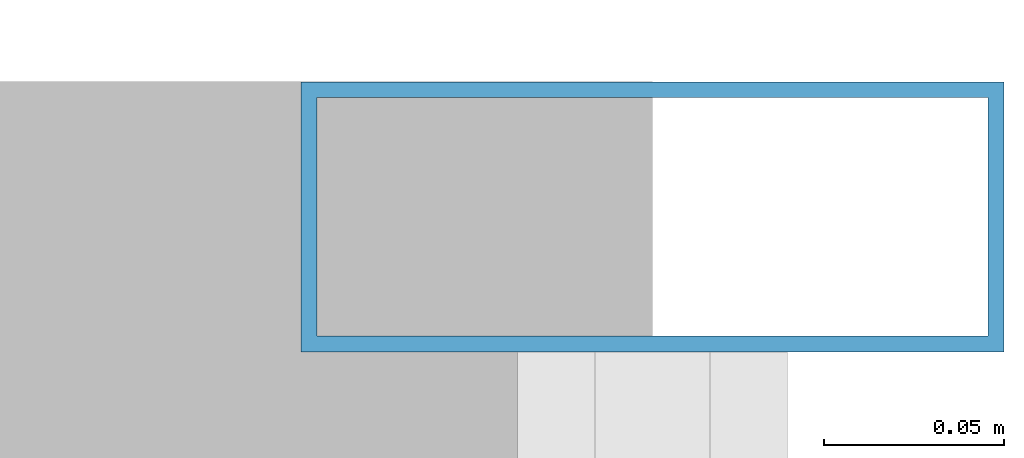
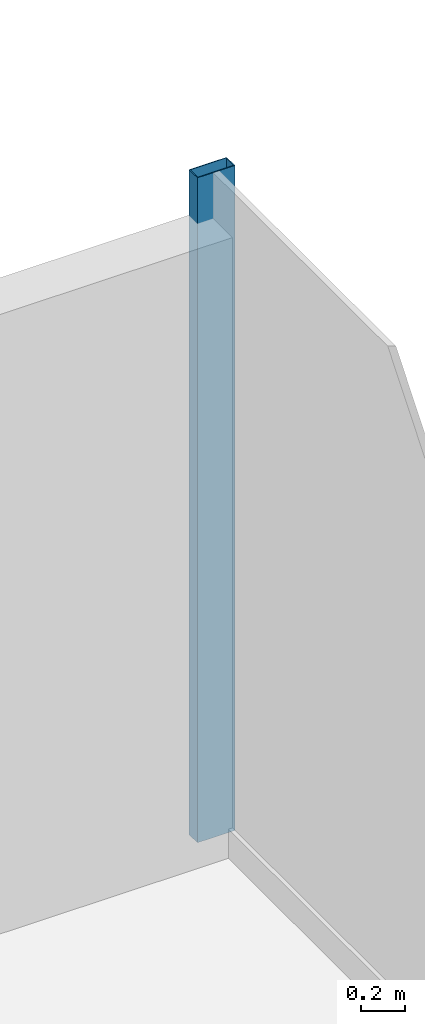
# One storey, part 18 of 25: 1 member, 1 element without a shape of its own.
"""IFC4 building model written with IfcOpenShell, lengths in metres."""

from ifc_helpers import new_model, si_unit, derived_unit, direction, frame, origin, origin_2d, place, context, subcontext, project, spatial, hollow_rectangle, extrude, source, transform, mapped, material, material_profile, profile_set, type_object, element, aggregate, save


model = new_model("IFC4")

# Units and contexts
model_context = context("Model", 3, precision=1e-05, world=origin(), true_north=direction((0.0, 1.0)))
body_context = subcontext(model_context, "Body", "Model", "MODEL_VIEW")
ifc_project = project(units=[si_unit("LENGTHUNIT", "METRE"), si_unit("AREAUNIT", "SQUARE_METRE"), si_unit("VOLUMEUNIT", "CUBIC_METRE"), si_unit("PLANEANGLEUNIT", "RADIAN"), si_unit("MASSUNIT", "GRAM", prefix="KILO"), derived_unit("THERMALTRANSMITTANCEUNIT", [(si_unit("POWERUNIT", "WATT"), 1), (si_unit("LENGTHUNIT", "METRE"), -2), (si_unit("THERMODYNAMICTEMPERATUREUNIT", "KELVIN"), -1)])], contexts=[model_context])

# Site, building, storey
site_placement = place(None, origin())
site = spatial("IfcSite", under=ifc_project, at=site_placement, CompositionType="ELEMENT")
building_placement = place(site_placement, origin())
building = spatial("IfcBuilding", under=site, at=building_placement, Name="Skarnbrae Concourse Arena and Tower", CompositionType="ELEMENT")
storey_placement = place(building_placement, frame((0.0, 0.0, 166.14990234375)))
storey = spatial("IfcBuildingStorey", under=building, at=storey_placement, Name="L42", CompositionType="ELEMENT", Elevation=166.14990234375)

# Curtain wall, member
ifc_material = material(Name="Bronze anodised aluminium 6063-T6", Category="aluminium")
curtain_wall_type = type_object("IfcCurtainWallType", Name="CW-SYS-04-MIDZONE", PredefinedType="USERDEFINED", material=ifc_material)
curtain_wall_placement = place(storey_placement, origin())
curtain_wall = element("IfcCurtainWall", 1, at=curtain_wall_placement, inside=storey, type_object=curtain_wall_type, Name="L42 Unitised curtain wall CW-L42-E04", ObjectType="UNITISED CURTAIN WALL", PredefinedType="USERDEFINED")
ifc_material_profile = material_profile(ifc_material, hollow_rectangle(XDim=0.074951171875, YDim=0.195068359375, WallThickness=0.00439453125, at=origin_2d()), Name="ALU-MULL-75X195")
ifc_profile_set = profile_set([ifc_material_profile], Name="Bronze anodised aluminium 6063-T6")
member_type = type_object("IfcMemberType", Name="CWM-CW-04", PredefinedType="MULLION", material=ifc_profile_set)
shared_shape = source(origin(), body_context, "Body", "SweptSolid", [
    extrude(hollow_rectangle(XDim=0.074951171875, YDim=0.195068359375, WallThickness=0.00439453125, at=origin_2d()), origin(), (0.0, 0.0, 1.0), 3.650146484375),
])
member_placement = place(storey_placement, frame((50.0, 32.96240234375, 0.0), z_axis=(0.0, 0.0, 1.0), x_axis=(0.0, 1.0, 0.0)))
member = element("IfcMember", 2, at=member_placement, type_object=member_type, Name="CW-L42-E04 Mullion 5", PredefinedType="MULLION", context=body_context, shape_type="MappedRepresentation", body=[
    mapped(shared_shape, transform((0.0, 0.0, 0.0))),
])
aggregate(curtain_wall, [member])

save(model, "model.ifc")
